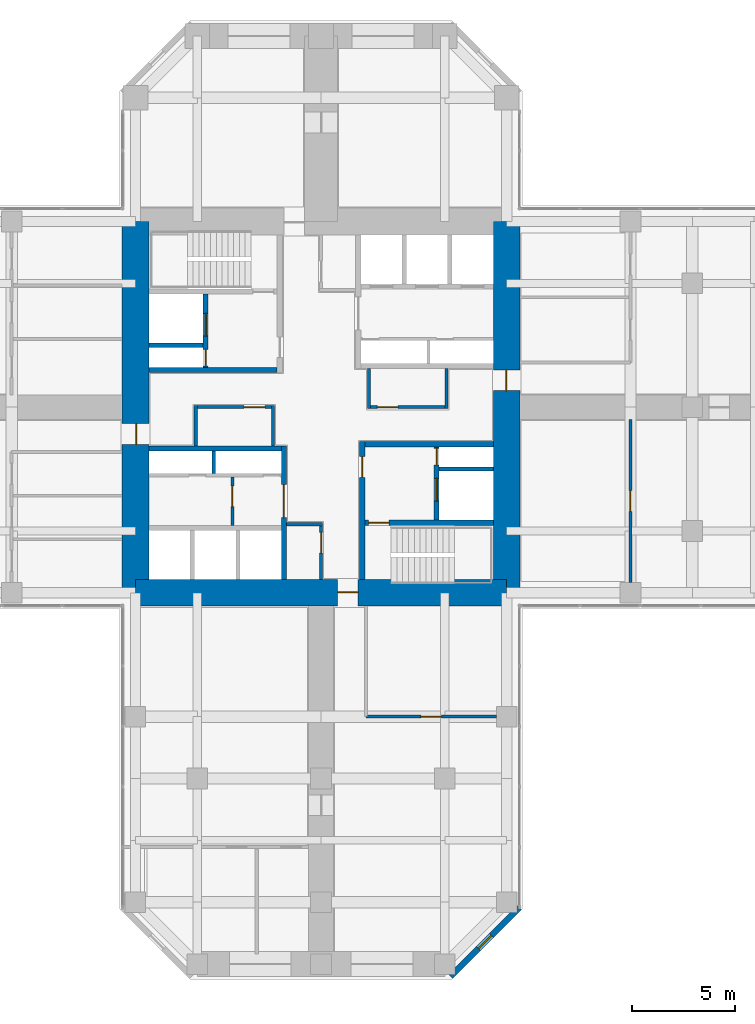
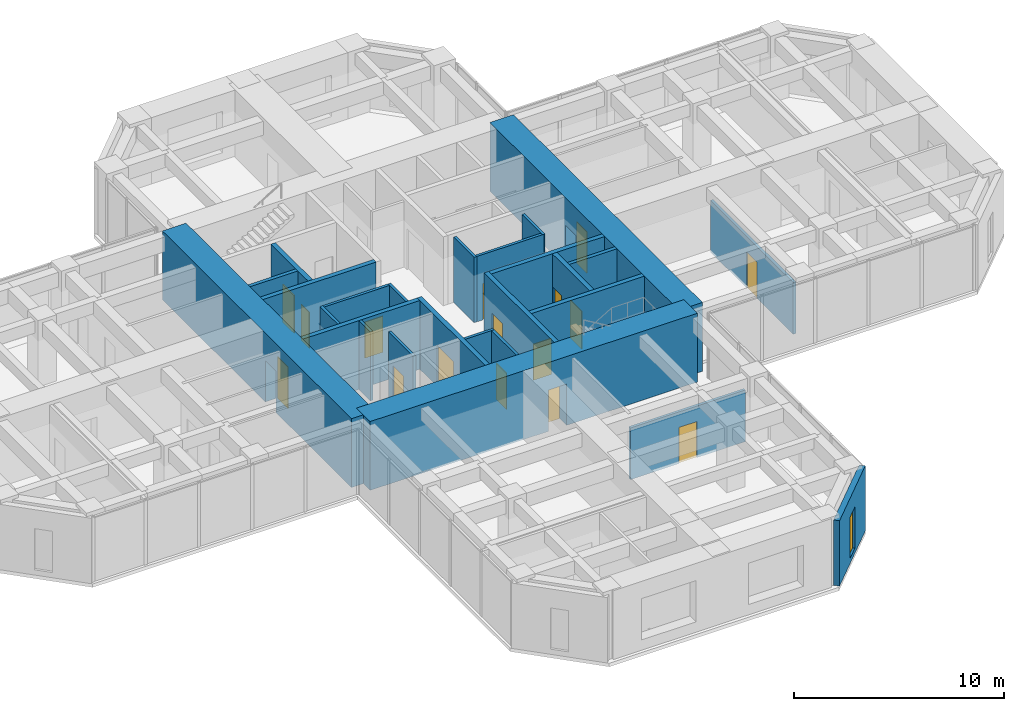
# One storey, part 9 of 12: 26 walls, 16 doors, 1 window, 17 openings.
"""IFC4 building model written with IfcOpenShell, lengths in metres."""

from ifc_helpers import new_model, si_unit, direction, frame, frame_2d, origin, place, context, subcontext, project, spatial, rectangle, hollow_rectangle, extrude, material, layer, layer_set, constituent, constituent_set, type_object, element, fill, save


model = new_model("IFC4")

# Units and contexts
model_context = context("Model", 3, precision=1e-05, world=origin(), true_north=direction((0.0, 1.0)))
body_context = subcontext(model_context, "Body", "Model", "MODEL_VIEW")
ifc_project = project(units=[si_unit("LENGTHUNIT", "METRE"), si_unit("AREAUNIT", "SQUARE_METRE"), si_unit("VOLUMEUNIT", "CUBIC_METRE"), si_unit("PLANEANGLEUNIT", "RADIAN"), si_unit("MASSUNIT", "GRAM", prefix="KILO")], contexts=[model_context])

# Site, building, storey
site_placement = place(None, origin())
site = spatial("IfcSite", under=ifc_project, at=site_placement, CompositionType="ELEMENT")
building_placement = place(site_placement, origin())
building = spatial("IfcBuilding", under=site, at=building_placement, Name="Torre Cruceta", CompositionType="ELEMENT")
storey_placement = place(building_placement, frame((0.0, 0.0, 104.5)))
storey = spatial("IfcBuildingStorey", under=building, at=storey_placement, Name="L25", CompositionType="ELEMENT", Elevation=104.5)

# Wall
ifc_material_1 = material(Name="Concrete G60 (fck 60 MPa)", Category="concrete")
ifc_layer_1 = layer(ifc_material_1, 0.25)
ifc_layer_set_1 = layer_set([ifc_layer_1], Name="Concrete G60 (fck 60 MPa)")
wall_type_1 = type_object("IfcWallType", Name="CORE INNER WALL 250 G60", PredefinedType="SHEAR", material=ifc_layer_set_1)
wall_1_placement = place(storey_placement, frame((-2.125, 1.800048828125, 0.0), z_axis=(0.0, 0.0, 1.0), x_axis=(-1.0, 0.0, 0.0)))
element("IfcWall", 1, at=wall_1_placement, inside=storey, type_object=wall_type_1, Name="CW4 L25 NW-CV", PredefinedType="SHEAR", context=body_context, shape_type="SweptSolid", body=[
    extrude(rectangle(XDim=6.22509765625, YDim=0.25, at=frame_2d((3.112548828125, 0.0))), origin(), (0.0, 0.0, 1.0), 4.0),
])

# Wall, openings, doors
wall_2_placement = place(storey_placement, frame((-5.60009765625, 1.925048828125, 0.0), z_axis=(0.0, 0.0, 1.0), x_axis=(0.0, 1.0, 0.0)))
wall_2 = element("IfcWall", 2, at=wall_2_placement, inside=storey, type_object=wall_type_1, Name="CW4 L25 NW-FU", PredefinedType="SHEAR", context=body_context, shape_type="SweptSolid", body=[
    extrude(rectangle(XDim=3.550048828125, YDim=0.25, at=frame_2d((1.77490234375, 0.0))), origin(), (0.0, 0.0, 1.0), 4.0),
])
opening_1_placement = place(wall_2_placement, frame((1.52490234375, 0.0, 0.0)))
opening_1 = element("IfcOpeningElement", 3, at=opening_1_placement, cuts=wall_2, Name="Opening LD1", PredefinedType="OPENING", context=body_context, shape_type="SweptSolid", body=[
    extrude(rectangle(XDim=1.10009765625, YDim=2.199951171875, at=frame_2d((0.550048828125, 1.10009765625))), frame((0.0, 0.135009765625, 0.0), z_axis=(0.0, -1.0, 0.0), x_axis=(1.0, 0.0, 0.0)), (0.0, 0.0, 1.0), 0.27001953125),
])
opening_2_placement = place(wall_2_placement, frame((0.074951171875, 0.0, 0.0)))
opening_2 = element("IfcOpeningElement", 4, at=opening_2_placement, cuts=wall_2, Name="Opening D5", PredefinedType="OPENING", context=body_context, shape_type="SweptSolid", body=[
    extrude(rectangle(XDim=0.800048828125, YDim=2.10009765625, at=frame_2d((0.39990234375, 1.050048828125))), frame((0.0, 0.135009765625, 0.0), z_axis=(0.0, -1.0, 0.0), x_axis=(1.0, 0.0, 0.0)), (0.0, 0.0, 1.0), 0.27001953125),
])
ifc_material_2 = material(Name="Stainless steel 1.4401", Category="steel")
door_type_1 = type_object("IfcDoorType", Name="LIFT LANDING DOOR 1100X2200", OperationType="DOUBLE_DOOR_SLIDING", PredefinedType="DOOR", material=ifc_material_2)
door_1_placement = place(opening_1_placement, origin())
door_1 = element("IfcDoor", 5, at=door_1_placement, inside=storey, type_object=door_type_1, Name="Lift landing door FL1", OperationType="DOUBLE_DOOR_SLIDING", OverallHeight=2.199951171875, OverallWidth=1.10009765625, PredefinedType="DOOR", context=body_context, shape_type="SweptSolid", body=[
    extrude(rectangle(XDim=1.10009765625, YDim=2.199951171875, at=frame_2d((0.550048828125, 1.10009765625))), frame((0.0, 0.02490234375, 0.0), z_axis=(0.0, -1.0, 0.0), x_axis=(1.0, 0.0, 0.0)), (0.0, 0.0, 1.0), 0.050048828125),
])
fill(opening_1, door_1)
ifc_material_3 = material(Name="Steel DX51D", Category="steel")
ifc_constituent_1 = constituent(ifc_material_3, Name="Leaf and frame")
ifc_material_4 = material(Name="Polyester powder coating", Category="paint")
ifc_constituent_2 = constituent(ifc_material_4, Name="Finish")
ifc_constituent_set_1 = constituent_set(constituents=[ifc_constituent_1, ifc_constituent_2], Name="Steel fire door")
door_type_2 = type_object("IfcDoorType", Name="RISER ACCESS DOOR 800X2100", OperationType="SINGLE_SWING_LEFT", PredefinedType="DOOR", material=ifc_constituent_set_1)
door_2_placement = place(opening_2_placement, origin())
door_2 = element("IfcDoor", 6, at=door_2_placement, inside=storey, type_object=door_type_2, Name="D5 L25 NW-RISER", OperationType="SINGLE_SWING_LEFT", OverallHeight=2.10009765625, OverallWidth=0.800048828125, PredefinedType="DOOR", context=body_context, shape_type="SweptSolid", body=[
    extrude(rectangle(XDim=0.800048828125, YDim=2.10009765625, at=frame_2d((0.39990234375, 1.050048828125))), frame((0.0, 0.02490234375, 0.0), z_axis=(0.0, -1.0, 0.0), x_axis=(1.0, 0.0, 0.0)), (0.0, 0.0, 1.0), 0.050048828125),
])
fill(opening_2, door_2)

# Wall, opening, door
wall_3_placement = place(storey_placement, frame((-1.800048828125, -1.875, 0.0), z_axis=(0.0, 0.0, 1.0), x_axis=(0.0, -1.0, 0.0)))
wall_3 = element("IfcWall", 7, at=wall_3_placement, inside=storey, type_object=wall_type_1, Name="CW4 L25 SW-CU", PredefinedType="SHEAR", context=body_context, shape_type="SweptSolid", body=[
    extrude(rectangle(XDim=6.47509765625, YDim=0.25, at=frame_2d((3.237548828125, 0.0))), origin(), (0.0, 0.0, 1.0), 4.0),
])
opening_3_placement = place(wall_3_placement, frame((1.875, 0.0, 0.0)))
opening_3 = element("IfcOpeningElement", 8, at=opening_3_placement, cuts=wall_3, Name="Opening D15", PredefinedType="OPENING", context=body_context, shape_type="SweptSolid", body=[
    extrude(rectangle(XDim=1.60009765625, YDim=2.39990234375, at=frame_2d((0.800048828125, 1.199951171875))), frame((0.0, 0.135009765625, 0.0), z_axis=(0.0, -1.0, 0.0), x_axis=(1.0, 0.0, 0.0)), (0.0, 0.0, 1.0), 0.27001953125),
])
ifc_material_5 = material(Name="Steel DX51D", Category="steel")
ifc_constituent_3 = constituent(ifc_material_5, Name="Leaf and frame")
ifc_material_6 = material(Name="Polyester powder coating", Category="paint")
ifc_constituent_4 = constituent(ifc_material_6, Name="Finish")
ifc_constituent_set_2 = constituent_set(constituents=[ifc_constituent_3, ifc_constituent_4], Name="Steel fire door")
door_type_3 = type_object("IfcDoorType", Name="CORE ROOM DOUBLE DOOR 1600X2400", OperationType="DOUBLE_DOOR_SINGLE_SWING", PredefinedType="DOOR", material=ifc_constituent_set_2)
door_3_placement = place(opening_3_placement, frame((1.60009765625, 0.0, 0.0), z_axis=(0.0, 0.0, 1.0), x_axis=(-1.0, 0.0, 0.0)))
door_3 = element("IfcDoor", 9, at=door_3_placement, inside=storey, type_object=door_type_3, Name="D15 L25 SW-LOBBY", OperationType="DOUBLE_DOOR_SINGLE_SWING", OverallHeight=2.39990234375, OverallWidth=1.60009765625, PredefinedType="DOOR", context=body_context, shape_type="SweptSolid", body=[
    extrude(rectangle(XDim=1.60009765625, YDim=2.39990234375, at=frame_2d((0.800048828125, 1.199951171875))), frame((0.0, 0.025146484375, 0.0), z_axis=(0.0, -1.0, 0.0), x_axis=(1.0, 0.0, 0.0)), (0.0, 0.0, 1.0), 0.050048828125),
])
fill(opening_3, door_3)

# Wall
wall_4_placement = place(storey_placement, frame((-1.925048828125, -2.0, 0.0), z_axis=(0.0, 0.0, 1.0), x_axis=(-1.0, 0.0, 0.0)))
element("IfcWall", 10, at=wall_4_placement, inside=storey, type_object=wall_type_1, Name="CW4 L25 SW-CV", PredefinedType="SHEAR", context=body_context, shape_type="SweptSolid", body=[
    extrude(rectangle(XDim=6.425048828125, YDim=0.25, at=frame_2d((3.21240234375, 0.0))), origin(), (0.0, 0.0, 1.0), 4.0),
])

# Wall, opening, door
wall_5_placement = place(storey_placement, frame((2.0, -1.675048828125, 0.0), z_axis=(0.0, 0.0, 1.0), x_axis=(0.0, -1.0, 0.0)))
wall_5 = element("IfcWall", 11, at=wall_5_placement, inside=storey, type_object=wall_type_1, Name="CW4 L25 SE-CU", PredefinedType="SHEAR", context=body_context, shape_type="SweptSolid", body=[
    extrude(rectangle(XDim=6.675048828125, YDim=0.25, at=frame_2d((3.33740234375, 0.0))), origin(), (0.0, 0.0, 1.0), 4.0),
])
opening_4_placement = place(wall_5_placement, frame((0.72509765625, 0.0, 0.0)))
opening_4 = element("IfcOpeningElement", 12, at=opening_4_placement, cuts=wall_5, Name="Opening D3", PredefinedType="OPENING", context=body_context, shape_type="SweptSolid", body=[
    extrude(rectangle(XDim=1.0, YDim=2.10009765625, at=frame_2d((0.5, 1.050048828125))), frame((0.0, 0.135009765625, 0.0), z_axis=(0.0, -1.0, 0.0), x_axis=(1.0, 0.0, 0.0)), (0.0, 0.0, 1.0), 0.27001953125),
])
ifc_material_7 = material(Name="Steel DX51D", Category="steel")
ifc_constituent_5 = constituent(ifc_material_7, Name="Leaf and frame")
ifc_material_8 = material(Name="Polyester powder coating", Category="paint")
ifc_constituent_6 = constituent(ifc_material_8, Name="Finish")
ifc_constituent_set_3 = constituent_set(constituents=[ifc_constituent_5, ifc_constituent_6], Name="Steel fire door")
door_type_4 = type_object("IfcDoorType", Name="FIRE DOOR 1000X2100", OperationType="SINGLE_SWING_LEFT", PredefinedType="DOOR", material=ifc_constituent_set_3)
door_4_placement = place(opening_4_placement, origin())
door_4 = element("IfcDoor", 13, at=door_4_placement, inside=storey, type_object=door_type_4, Name="D3 L25 SE-LOBBY", OperationType="SINGLE_SWING_LEFT", OverallHeight=2.10009765625, OverallWidth=1.0, PredefinedType="DOOR", context=body_context, shape_type="SweptSolid", body=[
    extrude(rectangle(XDim=1.0, YDim=2.10009765625, at=frame_2d((0.5, 1.050048828125))), frame((0.0, 0.02490234375, 0.0), z_axis=(0.0, -1.0, 0.0), x_axis=(1.0, 0.0, 0.0)), (0.0, 0.0, 1.0), 0.050048828125),
])
fill(opening_4, door_4)

# Wall
wall_6_placement = place(storey_placement, frame((2.125, -1.800048828125, 0.0), z_axis=(0.0, 0.0, 1.0), x_axis=(1.0, 0.0, 0.0)))
element("IfcWall", 14, at=wall_6_placement, inside=storey, type_object=wall_type_1, Name="CW4 L25 SE-CV", PredefinedType="SHEAR", context=body_context, shape_type="SweptSolid", body=[
    extrude(rectangle(XDim=6.22509765625, YDim=0.25, at=frame_2d((3.112548828125, 0.0))), origin(), (0.0, 0.0, 1.0), 4.0),
])

# Wall, opening, door
wall_7_placement = place(storey_placement, frame((2.125, -5.60009765625, 0.0), z_axis=(0.0, 0.0, 1.0), x_axis=(1.0, 0.0, 0.0)))
wall_7 = element("IfcWall", 15, at=wall_7_placement, inside=storey, type_object=wall_type_1, Name="CW4 L25 SE-SV", PredefinedType="SHEAR", context=body_context, shape_type="SweptSolid", body=[
    extrude(rectangle(XDim=6.22509765625, YDim=0.25, at=frame_2d((3.112548828125, 0.0))), origin(), (0.0, 0.0, 1.0), 4.0),
])
opening_5_placement = place(wall_7_placement, frame((0.175048828125, 0.0, 0.0)))
opening_5 = element("IfcOpeningElement", 16, at=opening_5_placement, cuts=wall_7, Name="Opening D3", PredefinedType="OPENING", context=body_context, shape_type="SweptSolid", body=[
    extrude(rectangle(XDim=1.0, YDim=2.10009765625, at=frame_2d((0.5, 1.050048828125))), frame((0.0, 0.135009765625, 0.0), z_axis=(0.0, -1.0, 0.0), x_axis=(1.0, 0.0, 0.0)), (0.0, 0.0, 1.0), 0.27001953125),
])
door_5_placement = place(opening_5_placement, frame((1.0, 0.0, 0.0), z_axis=(0.0, 0.0, 1.0), x_axis=(-1.0, 0.0, 0.0)))
door_5 = element("IfcDoor", 17, at=door_5_placement, inside=storey, type_object=door_type_4, Name="D3 L25 SE-STAIR", OperationType="SINGLE_SWING_RIGHT", OverallHeight=2.10009765625, OverallWidth=1.0, PredefinedType="DOOR", context=body_context, shape_type="SweptSolid", body=[
    extrude(rectangle(XDim=1.0, YDim=2.10009765625, at=frame_2d((0.5, 1.050048828125))), frame((0.0, 0.025146484375, 0.0), z_axis=(0.0, -1.0, 0.0), x_axis=(1.0, 0.0, 0.0)), (0.0, 0.0, 1.0), 0.050048828125),
])
fill(opening_5, door_5)

# Wall, openings, doors
wall_8_placement = place(storey_placement, frame((5.60009765625, -1.925048828125, 0.0), z_axis=(0.0, 0.0, 1.0), x_axis=(0.0, -1.0, 0.0)))
wall_8 = element("IfcWall", 18, at=wall_8_placement, inside=storey, type_object=wall_type_1, Name="CW4 L25 SE-FU", PredefinedType="SHEAR", context=body_context, shape_type="SweptSolid", body=[
    extrude(rectangle(XDim=3.550048828125, YDim=0.25, at=frame_2d((1.77490234375, 0.0))), origin(), (0.0, 0.0, 1.0), 4.0),
])
opening_6_placement = place(wall_8_placement, frame((1.52490234375, 0.0, 0.0)))
opening_6 = element("IfcOpeningElement", 19, at=opening_6_placement, cuts=wall_8, Name="Opening LD1", PredefinedType="OPENING", context=body_context, shape_type="SweptSolid", body=[
    extrude(rectangle(XDim=1.10009765625, YDim=2.199951171875, at=frame_2d((0.550048828125, 1.10009765625))), frame((0.0, 0.135009765625, 0.0), z_axis=(0.0, -1.0, 0.0), x_axis=(1.0, 0.0, 0.0)), (0.0, 0.0, 1.0), 0.27001953125),
])
opening_7_placement = place(wall_8_placement, frame((0.074951171875, 0.0, 0.0)))
opening_7 = element("IfcOpeningElement", 20, at=opening_7_placement, cuts=wall_8, Name="Opening D5", PredefinedType="OPENING", context=body_context, shape_type="SweptSolid", body=[
    extrude(rectangle(XDim=0.800048828125, YDim=2.10009765625, at=frame_2d((0.39990234375, 1.050048828125))), frame((0.0, 0.135009765625, 0.0), z_axis=(0.0, -1.0, 0.0), x_axis=(1.0, 0.0, 0.0)), (0.0, 0.0, 1.0), 0.27001953125),
])
door_6_placement = place(opening_6_placement, origin())
door_6 = element("IfcDoor", 21, at=door_6_placement, inside=storey, type_object=door_type_1, Name="Lift landing door FL2", OperationType="DOUBLE_DOOR_SLIDING", OverallHeight=2.199951171875, OverallWidth=1.10009765625, PredefinedType="DOOR", context=body_context, shape_type="SweptSolid", body=[
    extrude(rectangle(XDim=1.10009765625, YDim=2.199951171875, at=frame_2d((0.550048828125, 1.10009765625))), frame((0.0, 0.02490234375, 0.0), z_axis=(0.0, -1.0, 0.0), x_axis=(1.0, 0.0, 0.0)), (0.0, 0.0, 1.0), 0.050048828125),
])
fill(opening_6, door_6)
door_7_placement = place(opening_7_placement, origin())
door_7 = element("IfcDoor", 22, at=door_7_placement, inside=storey, type_object=door_type_2, Name="D5 L25 SE-RISER", OperationType="SINGLE_SWING_LEFT", OverallHeight=2.10009765625, OverallWidth=0.800048828125, PredefinedType="DOOR", context=body_context, shape_type="SweptSolid", body=[
    extrude(rectangle(XDim=0.800048828125, YDim=2.10009765625, at=frame_2d((0.39990234375, 1.050048828125))), frame((0.0, 0.02490234375, 0.0), z_axis=(0.0, -1.0, 0.0), x_axis=(1.0, 0.0, 0.0)), (0.0, 0.0, 1.0), 0.050048828125),
])
fill(opening_7, door_7)

# Wall, opening, door
ifc_material_9 = material(Name="Concrete G60 (fck 60 MPa)", Category="concrete")
ifc_layer_2 = layer(ifc_material_9, 1.300048828125)
ifc_layer_set_2 = layer_set([ifc_layer_2], Name="Concrete G60 (fck 60 MPa)")
wall_type_2 = type_object("IfcWallType", Name="CORE WALL 1300 G60", PredefinedType="SHEAR", material=ifc_layer_set_2)
wall_9_placement = place(storey_placement, frame((-9.0, -9.0, 0.0), z_axis=(0.0, 0.0, 1.0), x_axis=(1.0, 0.0, 0.0)))
wall_9 = element("IfcWall", 23, at=wall_9_placement, inside=storey, type_object=wall_type_2, Name="CW1 L25 CW-S", PredefinedType="SHEAR", context=body_context, shape_type="SweptSolid", body=[
    extrude(rectangle(XDim=18.0, YDim=1.300048828125, at=frame_2d((9.0, 0.0))), origin(), (0.0, 0.0, 1.0), 4.0),
])
opening_8_placement = place(wall_9_placement, frame((9.800048828125, 0.0, 0.0)))
opening_8 = element("IfcOpeningElement", 24, at=opening_8_placement, cuts=wall_9, Name="Opening D4", PredefinedType="OPENING", context=body_context, shape_type="SweptSolid", body=[
    extrude(rectangle(XDim=1.0, YDim=2.39990234375, at=frame_2d((0.5, 1.199951171875))), frame((0.0, 0.659912109375, 0.0), z_axis=(0.0, -1.0, 0.0), x_axis=(1.0, 0.0, 0.0)), (0.0, 0.0, 1.0), 1.320068359375),
])
ifc_material_10 = material(Name="Steel DX51D", Category="steel")
ifc_constituent_7 = constituent(ifc_material_10, Name="Leaf and frame")
ifc_material_11 = material(Name="Polyester powder coating", Category="paint")
ifc_constituent_8 = constituent(ifc_material_11, Name="Finish")
ifc_constituent_set_4 = constituent_set(constituents=[ifc_constituent_7, ifc_constituent_8], Name="Steel fire door")
door_type_5 = type_object("IfcDoorType", Name="CORE ARM DOOR 1000X2400", OperationType="SINGLE_SWING_RIGHT", PredefinedType="DOOR", material=ifc_constituent_set_4)
door_8_placement = place(opening_8_placement, frame((1.0, 0.0, 0.0), z_axis=(0.0, 0.0, 1.0), x_axis=(-1.0, 0.0, 0.0)))
door_8 = element("IfcDoor", 25, at=door_8_placement, inside=storey, type_object=door_type_5, Name="D4 L25 CW-S", OperationType="SINGLE_SWING_RIGHT", OverallHeight=2.39990234375, OverallWidth=1.0, PredefinedType="DOOR", context=body_context, shape_type="SweptSolid", body=[
    extrude(rectangle(XDim=1.0, YDim=2.39990234375, at=frame_2d((0.5, 1.199951171875))), frame((0.0, -0.005126953125, 0.0), z_axis=(0.0, -1.0, 0.0), x_axis=(1.0, 0.0, 0.0)), (0.0, 0.0, 1.0), 0.050048828125),
])
fill(opening_8, door_8)

wall_10_placement = place(storey_placement, frame((9.0, -9.0, 0.0), z_axis=(0.0, 0.0, 1.0), x_axis=(0.0, 1.0, 0.0)))
wall_10 = element("IfcWall", 26, at=wall_10_placement, inside=storey, type_object=wall_type_2, Name="CW1 L25 CW-E", PredefinedType="SHEAR", context=body_context, shape_type="SweptSolid", body=[
    extrude(rectangle(XDim=18.0, YDim=1.300048828125, at=frame_2d((9.0, 0.0))), origin(), (0.0, 0.0, 1.0), 4.0),
])
opening_9_placement = place(wall_10_placement, frame((9.800048828125, 0.0, 0.0)))
opening_9 = element("IfcOpeningElement", 27, at=opening_9_placement, cuts=wall_10, Name="Opening D4", PredefinedType="OPENING", context=body_context, shape_type="SweptSolid", body=[
    extrude(rectangle(XDim=1.0, YDim=2.39990234375, at=frame_2d((0.5, 1.199951171875))), frame((0.0, 0.659912109375, 0.0), z_axis=(0.0, -1.0, 0.0), x_axis=(1.0, 0.0, 0.0)), (0.0, 0.0, 1.0), 1.320068359375),
])
door_9_placement = place(opening_9_placement, frame((1.0, 0.0, 0.0), z_axis=(0.0, 0.0, 1.0), x_axis=(-1.0, 0.0, 0.0)))
door_9 = element("IfcDoor", 28, at=door_9_placement, inside=storey, type_object=door_type_5, Name="D4 L25 CW-E", OperationType="SINGLE_SWING_RIGHT", OverallHeight=2.39990234375, OverallWidth=1.0, PredefinedType="DOOR", context=body_context, shape_type="SweptSolid", body=[
    extrude(rectangle(XDim=1.0, YDim=2.39990234375, at=frame_2d((0.5, 1.199951171875))), frame((0.0, -0.005126953125, 0.0), z_axis=(0.0, -1.0, 0.0), x_axis=(1.0, 0.0, 0.0)), (0.0, 0.0, 1.0), 0.050048828125),
])
fill(opening_9, door_9)

wall_11_placement = place(storey_placement, frame((-9.0, 9.0, 0.0), z_axis=(0.0, 0.0, 1.0), x_axis=(0.0, -1.0, 0.0)))
wall_11 = element("IfcWall", 29, at=wall_11_placement, inside=storey, type_object=wall_type_2, Name="CW1 L25 CW-W", PredefinedType="SHEAR", context=body_context, shape_type="SweptSolid", body=[
    extrude(rectangle(XDim=18.0, YDim=1.300048828125, at=frame_2d((9.0, 0.0))), origin(), (0.0, 0.0, 1.0), 4.0),
])
opening_10_placement = place(wall_11_placement, frame((9.800048828125, 0.0, 0.0)))
opening_10 = element("IfcOpeningElement", 30, at=opening_10_placement, cuts=wall_11, Name="Opening D4", PredefinedType="OPENING", context=body_context, shape_type="SweptSolid", body=[
    extrude(rectangle(XDim=1.0, YDim=2.39990234375, at=frame_2d((0.5, 1.199951171875))), frame((0.0, 0.659912109375, 0.0), z_axis=(0.0, -1.0, 0.0), x_axis=(1.0, 0.0, 0.0)), (0.0, 0.0, 1.0), 1.320068359375),
])
door_10_placement = place(opening_10_placement, frame((1.0, 0.0, 0.0), z_axis=(0.0, 0.0, 1.0), x_axis=(-1.0, 0.0, 0.0)))
door_10 = element("IfcDoor", 31, at=door_10_placement, inside=storey, type_object=door_type_5, Name="D4 L25 CW-W", OperationType="SINGLE_SWING_RIGHT", OverallHeight=2.39990234375, OverallWidth=1.0, PredefinedType="DOOR", context=body_context, shape_type="SweptSolid", body=[
    extrude(rectangle(XDim=1.0, YDim=2.39990234375, at=frame_2d((0.5, 1.199951171875))), frame((0.0, -0.005126953125, 0.0), z_axis=(0.0, -1.0, 0.0), x_axis=(1.0, 0.0, 0.0)), (0.0, 0.0, 1.0), 0.050048828125),
])
fill(opening_10, door_10)

# Wall, opening, window
ifc_material_12 = material(Name="Concrete G30 (fck 30 MPa)", Category="concrete")
ifc_layer_3 = layer(ifc_material_12, 0.300048828125)
ifc_layer_set_3 = layer_set([ifc_layer_3], Name="Concrete G30 (fck 30 MPa)")
wall_type_3 = type_object("IfcWallType", Name="EXPOSED CONCRETE FACADE WALL 300", PredefinedType="SOLIDWALL", material=ifc_layer_set_3)
wall_12_placement = place(storey_placement, frame((6.27685546875, -27.60009765625, 0.0), z_axis=(0.0, 0.0, 1.0), x_axis=(0.707106781187, 0.707106781187, 0.0)))
wall_12 = element("IfcWall", 32, at=wall_12_placement, inside=storey, type_object=wall_type_3, Name="EW1 facade wall L25 S chamfer 18", PredefinedType="SOLIDWALL", context=body_context, shape_type="SweptSolid", body=[
    extrude(rectangle(XDim=4.72802734375, YDim=0.300048828125, at=frame_2d((2.364013671875, 0.0))), origin(), (0.0, 0.0, 1.0), 3.800048828125),
])
opening_11_placement = place(wall_12_placement, frame((1.9140625, 0.0, 0.300048828125)))
opening_11 = element("IfcOpeningElement", 33, at=opening_11_placement, cuts=wall_12, Name="Opening WN5", PredefinedType="OPENING", context=body_context, shape_type="SweptSolid", body=[
    extrude(rectangle(XDim=0.89990234375, YDim=2.39990234375, at=frame_2d((0.449951171875, 1.199951171875))), frame((0.0, 0.159912109375, 0.0), z_axis=(0.0, -1.0, 0.0), x_axis=(1.0, 0.0, 0.0)), (0.0, 0.0, 1.0), 0.320068359375),
])
ifc_material_13 = material(Name="Aluminium window frame", Category="aluminium")
ifc_constituent_9 = constituent(ifc_material_13, Name="Frame")
ifc_material_14 = material(Name="Laminated insulating glass unit, low-iron clear", Category="glass")
ifc_constituent_10 = constituent(ifc_material_14, Name="Glazing")
ifc_constituent_set_5 = constituent_set(constituents=[ifc_constituent_9, ifc_constituent_10], Name="Aluminium window")
window_type = type_object("IfcWindowType", Name="CHAMFER SLOT WINDOW 900X2400", PartitioningType="SINGLE_PANEL", PredefinedType="WINDOW", material=ifc_constituent_set_5)
window_placement = place(opening_11_placement, origin())
window = element("IfcWindow", 34, at=window_placement, inside=storey, type_object=window_type, Name="WN5 L25 S 1", OverallHeight=2.39990234375, OverallWidth=0.89990234375, PartitioningType="SINGLE_PANEL", PredefinedType="WINDOW", context=body_context, shape_type="SweptSolid", body=[
    extrude(hollow_rectangle(XDim=0.89990234375, YDim=2.39990234375, WallThickness=0.06005859375, at=frame_2d((0.449951171875, 1.199951171875))), frame((0.0, 0.030029296875, 0.0), z_axis=(0.0, -1.0, 0.0), x_axis=(1.0, 0.0, 0.0)), (0.0, 0.0, 1.0), 0.06005859375),
    extrude(rectangle(XDim=0.77880859375, YDim=2.27880859375, at=frame_2d((0.449951171875, 1.199951171875))), frame((0.0, 0.030029296875, 0.0), z_axis=(0.0, -1.0, 0.0), x_axis=(1.0, 0.0, 0.0)), (0.0, 0.0, 1.0), 0.06005859375),
])
fill(opening_11, window)

# Walls
ifc_material_15 = material(Name="Concrete G35 (fck 35 MPa)", Category="concrete")
ifc_layer_4 = layer(ifc_material_15, 0.199951171875)
ifc_layer_set_4 = layer_set([ifc_layer_4], Name="Concrete G35 (fck 35 MPa)")
wall_type_4 = type_object("IfcWallType", Name="LIFT SHAFT WALL 200", PredefinedType="PARTITIONING", material=ifc_layer_set_4)
for number, where, z_axis, x_axis, name in (
    (35, (-5.72509765625, 3.0, 0.0), (0.0, 0.0, 1.0), (-1.0, 0.0, 0.0), "SW1 L25 NW-FR"),
    (36, (5.72509765625, -3.0, 0.0), (0.0, 0.0, 1.0), (1.0, 0.0, 0.0), "SW1 L25 SE-FR"),
):
    element("IfcWall", number, at=place(storey_placement, frame(where, z_axis=z_axis, x_axis=x_axis)), inside=storey, type_object=wall_type_4, Name=name, PredefinedType="PARTITIONING", context=body_context, shape_type="SweptSolid", body=[
        extrude(rectangle(XDim=2.625, YDim=0.199951171875, at=frame_2d((1.3125, 0.0))), origin(), (0.0, 0.0, 1.0), 4.0),
    ])

# Wall, opening, door
ifc_material_16 = material(Name="Plasterboard on steel studs", Category="steel")
ifc_layer_5 = layer(ifc_material_16, 0.14990234375)
ifc_layer_set_5 = layer_set([ifc_layer_5], Name="Plasterboard on steel studs")
wall_type_5 = type_object("IfcWallType", Name="PARTITION 150", PredefinedType="PARTITIONING", material=ifc_layer_set_5)
wall_13_placement = place(storey_placement, frame((2.324951171875, 0.0, 0.0), z_axis=(0.0, 0.0, 1.0), x_axis=(1.0, 0.0, 0.0)))
wall_13 = element("IfcWall", 37, at=wall_13_placement, inside=storey, type_object=wall_type_5, Name="PT1 L25-CORE-LEGE-N-W1", PredefinedType="PARTITIONING", context=body_context, shape_type="SweptSolid", body=[
    extrude(rectangle(XDim=3.75, YDim=0.14990234375, at=frame_2d((1.875, 0.0))), origin(), (0.0, 0.0, 1.0), 3.800048828125),
])
opening_12_placement = place(wall_13_placement, frame((0.39990234375, 0.0, 0.0)))
opening_12 = element("IfcOpeningElement", 38, at=opening_12_placement, cuts=wall_13, Name="Opening D3", PredefinedType="OPENING", context=body_context, shape_type="SweptSolid", body=[
    extrude(rectangle(XDim=1.0, YDim=2.10009765625, at=frame_2d((0.5, 1.050048828125))), frame((0.0, 0.0849609375, 0.0), z_axis=(0.0, -1.0, 0.0), x_axis=(1.0, 0.0, 0.0)), (0.0, 0.0, 1.0), 0.169921875),
])
door_11_placement = place(opening_12_placement, origin())
door_11 = element("IfcDoor", 39, at=door_11_placement, inside=storey, type_object=door_type_4, Name="D3 L25-CORE-LEGE-N-W1-D1", OperationType="SINGLE_SWING_LEFT", OverallHeight=2.10009765625, OverallWidth=1.0, PredefinedType="DOOR", context=body_context, shape_type="SweptSolid", body=[
    extrude(rectangle(XDim=1.0, YDim=2.10009765625, at=frame_2d((0.5, 1.050048828125))), frame((0.0, 0.02490234375, 0.0), z_axis=(0.0, -1.0, 0.0), x_axis=(1.0, 0.0, 0.0)), (0.0, 0.0, 1.0), 0.050048828125),
])
fill(opening_12, door_11)

# Walls
for number, where, z_axis, x_axis, name in (
    (40, (2.324951171875, 1.875, 0.0), (0.0, 0.0, 1.0), (0.0, -1.0, 0.0), "PT1 L25-CORE-LEGE-N-W2"),
    (41, (6.074951171875, -0.074951171875, 0.0), (0.0, 0.0, 1.0), (0.0, 1.0, 0.0), "PT1 L25-CORE-LEGE-N-W3"),
):
    element("IfcWall", number, at=place(storey_placement, frame(where, z_axis=z_axis, x_axis=x_axis)), inside=storey, type_object=wall_type_5, Name=name, PredefinedType="PARTITIONING", context=body_context, shape_type="SweptSolid", body=[
        extrude(rectangle(XDim=1.949951171875, YDim=0.14990234375, at=frame_2d((0.97509765625, 0.0))), origin(), (0.0, 0.0, 1.0), 3.800048828125),
    ])

# Wall, opening, door
wall_14_placement = place(storey_placement, frame((-2.324951171875, 0.0, 0.0), z_axis=(0.0, 0.0, 1.0), x_axis=(-1.0, 0.0, 0.0)))
wall_14 = element("IfcWall", 42, at=wall_14_placement, inside=storey, type_object=wall_type_5, Name="PT1 L25-CORE-LEGW-S-W1", PredefinedType="PARTITIONING", context=body_context, shape_type="SweptSolid", body=[
    extrude(rectangle(XDim=3.75, YDim=0.14990234375, at=frame_2d((1.875, 0.0))), origin(), (0.0, 0.0, 1.0), 3.800048828125),
])
opening_13_placement = place(wall_14_placement, frame((0.39990234375, 0.0, 0.0)))
opening_13 = element("IfcOpeningElement", 43, at=opening_13_placement, cuts=wall_14, Name="Opening D3", PredefinedType="OPENING", context=body_context, shape_type="SweptSolid", body=[
    extrude(rectangle(XDim=1.0, YDim=2.10009765625, at=frame_2d((0.5, 1.050048828125))), frame((0.0, 0.0849609375, 0.0), z_axis=(0.0, -1.0, 0.0), x_axis=(1.0, 0.0, 0.0)), (0.0, 0.0, 1.0), 0.169921875),
])
door_12_placement = place(opening_13_placement, origin())
door_12 = element("IfcDoor", 44, at=door_12_placement, inside=storey, type_object=door_type_4, Name="D3 L25-CORE-LEGW-S-W1-D1", OperationType="SINGLE_SWING_LEFT", OverallHeight=2.10009765625, OverallWidth=1.0, PredefinedType="DOOR", context=body_context, shape_type="SweptSolid", body=[
    extrude(rectangle(XDim=1.0, YDim=2.10009765625, at=frame_2d((0.5, 1.050048828125))), frame((0.0, 0.02490234375, 0.0), z_axis=(0.0, -1.0, 0.0), x_axis=(1.0, 0.0, 0.0)), (0.0, 0.0, 1.0), 0.050048828125),
])
fill(opening_13, door_12)

# Walls
for number, where, z_axis, x_axis, name in (
    (45, (-2.324951171875, -1.875, 0.0), (0.0, 0.0, 1.0), (0.0, 1.0, 0.0), "PT1 L25-CORE-LEGW-S-W2"),
    (46, (-6.074951171875, 0.074951171875, 0.0), (0.0, 0.0, 1.0), (0.0, -1.0, 0.0), "PT1 L25-CORE-LEGW-S-W3"),
):
    element("IfcWall", number, at=place(storey_placement, frame(where, z_axis=z_axis, x_axis=x_axis)), inside=storey, type_object=wall_type_5, Name=name, PredefinedType="PARTITIONING", context=body_context, shape_type="SweptSolid", body=[
        extrude(rectangle(XDim=1.949951171875, YDim=0.14990234375, at=frame_2d((0.97509765625, 0.0))), origin(), (0.0, 0.0, 1.0), 3.800048828125),
    ])

# Wall, opening, door
wall_15_placement = place(storey_placement, frame((0.0, -5.675048828125, 0.0), z_axis=(0.0, 0.0, 1.0), x_axis=(0.0, -1.0, 0.0)))
wall_15 = element("IfcWall", 47, at=wall_15_placement, inside=storey, type_object=wall_type_5, Name="PT1 L25-CORE-LEGS-W-W1", PredefinedType="PARTITIONING", context=body_context, shape_type="SweptSolid", body=[
    extrude(rectangle(XDim=2.675048828125, YDim=0.14990234375, at=frame_2d((1.33740234375, 0.0))), origin(), (0.0, 0.0, 1.0), 3.800048828125),
])
opening_14_placement = place(wall_15_placement, frame((0.39990234375, 0.0, 0.0)))
opening_14 = element("IfcOpeningElement", 48, at=opening_14_placement, cuts=wall_15, Name="Opening D3", PredefinedType="OPENING", context=body_context, shape_type="SweptSolid", body=[
    extrude(rectangle(XDim=1.0, YDim=2.10009765625, at=frame_2d((0.5, 1.050048828125))), frame((0.0, 0.0849609375, 0.0), z_axis=(0.0, -1.0, 0.0), x_axis=(1.0, 0.0, 0.0)), (0.0, 0.0, 1.0), 0.169921875),
])
door_13_placement = place(opening_14_placement, frame((1.0, 0.0, 0.0), z_axis=(0.0, 0.0, 1.0), x_axis=(-1.0, 0.0, 0.0)))
door_13 = element("IfcDoor", 49, at=door_13_placement, inside=storey, type_object=door_type_4, Name="D3 L25-CORE-LEGS-W-W1-D1", OperationType="SINGLE_SWING_RIGHT", OverallHeight=2.10009765625, OverallWidth=1.0, PredefinedType="DOOR", context=body_context, shape_type="SweptSolid", body=[
    extrude(rectangle(XDim=1.0, YDim=2.10009765625, at=frame_2d((0.5, 1.050048828125))), frame((0.0, 0.025146484375, 0.0), z_axis=(0.0, -1.0, 0.0), x_axis=(1.0, 0.0, 0.0)), (0.0, 0.0, 1.0), 0.050048828125),
])
fill(opening_14, door_13)

# Wall
wall_16_placement = place(storey_placement, frame((-1.675048828125, -5.675048828125, 0.0), z_axis=(0.0, 0.0, 1.0), x_axis=(1.0, 0.0, 0.0)))
element("IfcWall", 50, at=wall_16_placement, inside=storey, type_object=wall_type_5, Name="PT1 L25-CORE-LEGS-W-W2", PredefinedType="PARTITIONING", context=body_context, shape_type="SweptSolid", body=[
    extrude(rectangle(XDim=1.75, YDim=0.14990234375, at=frame_2d((0.875, 0.0))), origin(), (0.0, 0.0, 1.0), 3.800048828125),
])

# Wall, opening, door
wall_17_placement = place(storey_placement, frame((-4.300048828125, -3.375, 0.0), z_axis=(0.0, 0.0, 1.0), x_axis=(0.0, -1.0, 0.0)))
wall_17 = element("IfcWall", 51, at=wall_17_placement, inside=storey, type_object=wall_type_5, Name="PT1 L25-CORE-SW-X", PredefinedType="PARTITIONING", context=body_context, shape_type="SweptSolid", body=[
    extrude(rectangle(XDim=2.35009765625, YDim=0.14990234375, at=frame_2d((1.175048828125, 0.0))), origin(), (0.0, 0.0, 1.0), 3.800048828125),
])
opening_15_placement = place(wall_17_placement, frame((0.449951171875, 0.0, 0.0)))
opening_15 = element("IfcOpeningElement", 52, at=opening_15_placement, cuts=wall_17, Name="Opening D3", PredefinedType="OPENING", context=body_context, shape_type="SweptSolid", body=[
    extrude(rectangle(XDim=1.0, YDim=2.10009765625, at=frame_2d((0.5, 1.050048828125))), frame((0.0, 0.0849609375, 0.0), z_axis=(0.0, -1.0, 0.0), x_axis=(1.0, 0.0, 0.0)), (0.0, 0.0, 1.0), 0.169921875),
])
door_14_placement = place(opening_15_placement, origin())
door_14 = element("IfcDoor", 53, at=door_14_placement, inside=storey, type_object=door_type_4, Name="D3 L25-CORE-SW-X-D1", OperationType="SINGLE_SWING_LEFT", OverallHeight=2.10009765625, OverallWidth=1.0, PredefinedType="DOOR", context=body_context, shape_type="SweptSolid", body=[
    extrude(rectangle(XDim=1.0, YDim=2.10009765625, at=frame_2d((0.5, 1.050048828125))), frame((0.0, 0.02490234375, 0.0), z_axis=(0.0, -1.0, 0.0), x_axis=(1.0, 0.0, 0.0)), (0.0, 0.0, 1.0), 0.050048828125),
])
fill(opening_15, door_14)

wall_18_placement = place(storey_placement, frame((15.0, -8.5, 0.0), z_axis=(0.0, 0.0, 1.0), x_axis=(0.0, 1.0, 0.0)))
wall_18 = element("IfcWall", 54, at=wall_18_placement, inside=storey, type_object=wall_type_5, Name="PT1 L25-E-BFR", PredefinedType="PARTITIONING", context=body_context, shape_type="SweptSolid", body=[
    extrude(rectangle(XDim=7.89990234375, YDim=0.14990234375, at=frame_2d((3.949951171875, 0.0))), origin(), (0.0, 0.0, 1.0), 3.0),
])
opening_16_placement = place(wall_18_placement, frame((3.449951171875, 0.0, 0.0)))
opening_16 = element("IfcOpeningElement", 55, at=opening_16_placement, cuts=wall_18, Name="Opening D3", PredefinedType="OPENING", context=body_context, shape_type="SweptSolid", body=[
    extrude(rectangle(XDim=1.0, YDim=2.10009765625, at=frame_2d((0.5, 1.050048828125))), frame((0.0, 0.0849609375, 0.0), z_axis=(0.0, -1.0, 0.0), x_axis=(1.0, 0.0, 0.0)), (0.0, 0.0, 1.0), 0.169921875),
])
door_15_placement = place(opening_16_placement, origin())
door_15 = element("IfcDoor", 56, at=door_15_placement, inside=storey, type_object=door_type_4, Name="D3 L25-E-BFR-D1", OperationType="SINGLE_SWING_RIGHT", OverallHeight=2.10009765625, OverallWidth=1.0, PredefinedType="DOOR", context=body_context, shape_type="SweptSolid", body=[
    extrude(rectangle(XDim=1.0, YDim=2.10009765625, at=frame_2d((0.5, 1.050048828125))), frame((0.0, 0.02490234375, 0.0), z_axis=(0.0, -1.0, 0.0), x_axis=(1.0, 0.0, 0.0)), (0.0, 0.0, 1.0), 0.050048828125),
])
fill(opening_16, door_15)

wall_19_placement = place(storey_placement, frame((2.175048828125, -15.0, 0.0), z_axis=(0.0, 0.0, 1.0), x_axis=(1.0, 0.0, 0.0)))
wall_19 = element("IfcWall", 57, at=wall_19_placement, inside=storey, type_object=wall_type_5, Name="PT1 L25-S-BFL", PredefinedType="PARTITIONING", context=body_context, shape_type="SweptSolid", body=[
    extrude(rectangle(XDim=6.324951171875, YDim=0.14990234375, at=frame_2d((3.16259765625, 0.0))), origin(), (0.0, 0.0, 1.0), 3.0),
])
opening_17_placement = place(wall_19_placement, frame((2.66259765625, 0.0, 0.0)))
opening_17 = element("IfcOpeningElement", 58, at=opening_17_placement, cuts=wall_19, Name="Opening D3", PredefinedType="OPENING", context=body_context, shape_type="SweptSolid", body=[
    extrude(rectangle(XDim=1.0, YDim=2.10009765625, at=frame_2d((0.5, 1.050048828125))), frame((0.0, 0.0849609375, 0.0), z_axis=(0.0, -1.0, 0.0), x_axis=(1.0, 0.0, 0.0)), (0.0, 0.0, 1.0), 0.169921875),
])
door_16_placement = place(opening_17_placement, origin())
door_16 = element("IfcDoor", 59, at=door_16_placement, inside=storey, type_object=door_type_4, Name="D3 L25-S-BFL-D1", OperationType="SINGLE_SWING_LEFT", OverallHeight=2.10009765625, OverallWidth=1.0, PredefinedType="DOOR", context=body_context, shape_type="SweptSolid", body=[
    extrude(rectangle(XDim=1.0, YDim=2.10009765625, at=frame_2d((0.5, 1.050048828125))), frame((0.0, 0.02490234375, 0.0), z_axis=(0.0, -1.0, 0.0), x_axis=(1.0, 0.0, 0.0)), (0.0, 0.0, 1.0), 0.050048828125),
])
fill(opening_17, door_16)

# Wall
ifc_material_17 = material(Name="Concrete block masonry", Category="masonry")
ifc_layer_6 = layer(ifc_material_17, 0.14990234375)
ifc_layer_set_6 = layer_set([ifc_layer_6], Name="Concrete block masonry")
wall_type_6 = type_object("IfcWallType", Name="RISER WALL 150", PredefinedType="PARTITIONING", material=ifc_layer_set_6)
wall_20_placement = place(storey_placement, frame((-5.199951171875, -2.125, 0.0), z_axis=(0.0, 0.0, 1.0), x_axis=(0.0, -1.0, 0.0)))
element("IfcWall", 60, at=wall_20_placement, inside=storey, type_object=wall_type_6, Name="SW7 L25 SW-RU", PredefinedType="PARTITIONING", context=body_context, shape_type="SweptSolid", body=[
    extrude(rectangle(XDim=1.10009765625, YDim=0.14990234375, at=frame_2d((0.550048828125, 0.0))), origin(), (0.0, 0.0, 1.0), 4.0),
])

save(model, "model.ifc")
